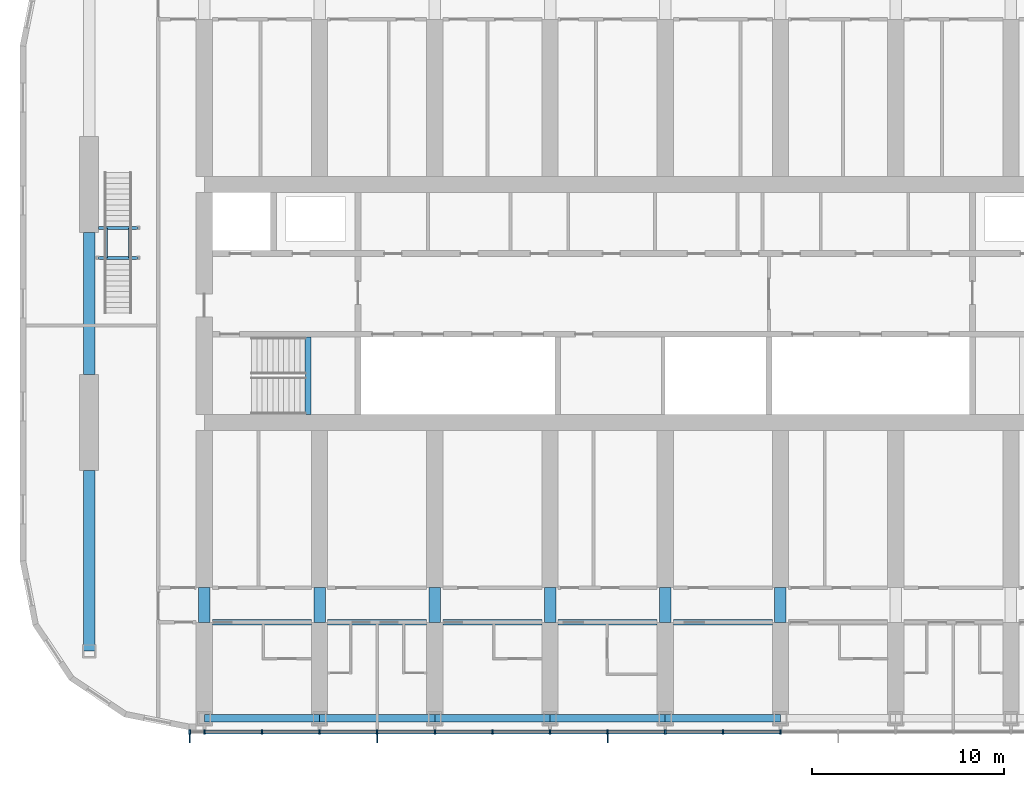
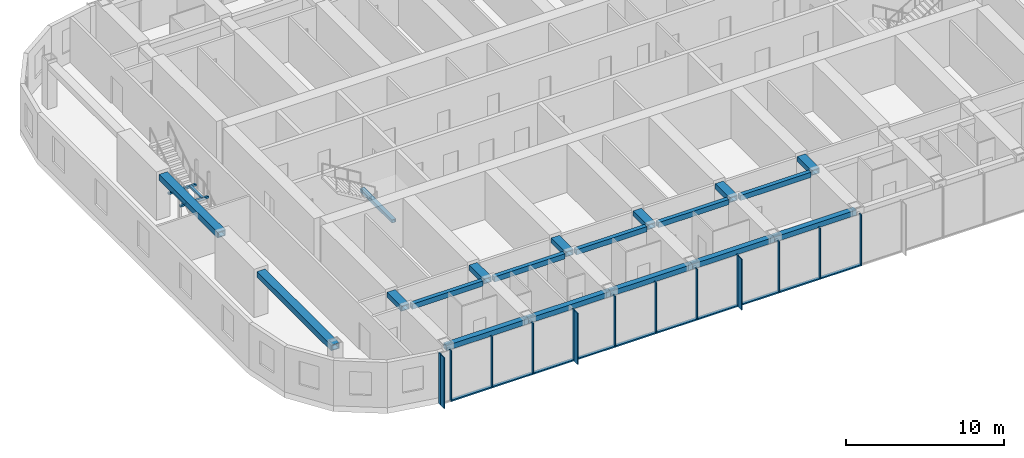
# One storey, part 4 of 28: 25 members, 23 beams, 1 element without a shape of its own.
"""IFC4 building model written with IfcOpenShell, lengths in metres."""

from ifc_helpers import new_model, si_unit, direction, frame, origin, origin_2d, place, context, subcontext, project, spatial, rectangle, hollow_rectangle, extrude, material, material_profile, profile_set, type_object, element, aggregate, save


model = new_model("IFC4")

# Units and contexts
model_context = context("Model", 3, precision=1e-05, world=origin(), true_north=direction((0.0, 1.0)))
body_context = subcontext(model_context, "Body", "Model", "MODEL_VIEW")
ifc_project = project(units=[si_unit("LENGTHUNIT", "METRE"), si_unit("AREAUNIT", "SQUARE_METRE"), si_unit("VOLUMEUNIT", "CUBIC_METRE"), si_unit("PLANEANGLEUNIT", "RADIAN"), si_unit("MASSUNIT", "GRAM", prefix="KILO")], contexts=[model_context])

# Site, building, storey
site_placement = place(None, origin())
site = spatial("IfcSite", under=ifc_project, at=site_placement, CompositionType="ELEMENT")
building_placement = place(site_placement, origin())
building = spatial("IfcBuilding", under=site, at=building_placement, Name="Orbita Commons", CompositionType="ELEMENT")
storey_placement = place(building_placement, frame((0.0, 0.0, 193.60009765625)))
storey = spatial("IfcBuildingStorey", under=building, at=storey_placement, Name="L48", CompositionType="ELEMENT", Elevation=193.60009765625)

# Curtain wall, members
ifc_material_1 = material(Name="Anodised aluminium frame, pale silver", Category="aluminium")
curtain_wall_type = type_object("IfcCurtainWallType", Name="Unitised curtain wall CW-U, full-height vision", PredefinedType="NOTDEFINED", material=ifc_material_1)
curtain_wall_placement = place(storey_placement, origin())
curtain_wall = element("IfcCurtainWall", 1, at=curtain_wall_placement, inside=storey, type_object=curtain_wall_type, Name="Curtain wall south L48", PredefinedType="NOTDEFINED")
ifc_material_2 = material(Name="Anodised aluminium, pale silver", Category="aluminium")
ifc_material_profile_1 = material_profile(ifc_material_2, rectangle(XDim=0.080078125, YDim=0.219970703125, at=origin_2d()), Name="AL 80x220")
ifc_profile_set_1 = profile_set([ifc_material_profile_1], Name="Anodised aluminium, pale silver")
member_type_1 = type_object("IfcMemberType", Name="Curtain wall mullion 80x220", PredefinedType="MULLION", material=ifc_profile_set_1)
member_1_placement = place(storey_placement, frame((17.239990234375, 9.68994140625, -0.4501953125), z_axis=(0.0, 0.0, 1.0), x_axis=(1.0, 0.0, 0.0)))
member_1 = element("IfcMember", 2, at=member_1_placement, type_object=member_type_1, Name="Mullion 1 CW-L48-S", PredefinedType="MULLION", context=body_context, shape_type="SweptSolid", body=[
    extrude(rectangle(XDim=0.080078125, YDim=0.219970703125, at=origin_2d()), origin(), (0.0, 0.0, 1.0), 3.9501953125),
])
member_2_placement = place(storey_placement, frame((18.0, 9.68994140625, -0.4501953125), z_axis=(0.0, 0.0, 1.0), x_axis=(1.0, 0.0, 0.0)))
member_2 = element("IfcMember", 3, at=member_2_placement, type_object=member_type_1, Name="Mullion 2 CW-L48-S", PredefinedType="MULLION", context=body_context, shape_type="SweptSolid", body=[
    extrude(rectangle(XDim=0.080078125, YDim=0.219970703125, at=origin_2d()), origin(), (0.0, 0.0, 1.0), 3.9501953125),
])
member_3_placement = place(storey_placement, frame((21.0, 9.68994140625, -0.4501953125), z_axis=(0.0, 0.0, 1.0), x_axis=(1.0, 0.0, 0.0)))
member_3 = element("IfcMember", 4, at=member_3_placement, type_object=member_type_1, Name="Mullion 3 CW-L48-S", PredefinedType="MULLION", context=body_context, shape_type="SweptSolid", body=[
    extrude(rectangle(XDim=0.080078125, YDim=0.219970703125, at=origin_2d()), origin(), (0.0, 0.0, 1.0), 3.9501953125),
])
member_4_placement = place(storey_placement, frame((24.0, 9.68994140625, -0.4501953125), z_axis=(0.0, 0.0, 1.0), x_axis=(1.0, 0.0, 0.0)))
member_4 = element("IfcMember", 5, at=member_4_placement, type_object=member_type_1, Name="Mullion 4 CW-L48-S", PredefinedType="MULLION", context=body_context, shape_type="SweptSolid", body=[
    extrude(rectangle(XDim=0.080078125, YDim=0.219970703125, at=origin_2d()), origin(), (0.0, 0.0, 1.0), 3.9501953125),
])
member_5_placement = place(storey_placement, frame((27.0, 9.68994140625, -0.4501953125), z_axis=(0.0, 0.0, 1.0), x_axis=(1.0, 0.0, 0.0)))
member_5 = element("IfcMember", 6, at=member_5_placement, type_object=member_type_1, Name="Mullion 5 CW-L48-S", PredefinedType="MULLION", context=body_context, shape_type="SweptSolid", body=[
    extrude(rectangle(XDim=0.080078125, YDim=0.219970703125, at=origin_2d()), origin(), (0.0, 0.0, 1.0), 3.9501953125),
])
member_6_placement = place(storey_placement, frame((30.0, 9.68994140625, -0.4501953125), z_axis=(0.0, 0.0, 1.0), x_axis=(1.0, 0.0, 0.0)))
member_6 = element("IfcMember", 7, at=member_6_placement, type_object=member_type_1, Name="Mullion 6 CW-L48-S", PredefinedType="MULLION", context=body_context, shape_type="SweptSolid", body=[
    extrude(rectangle(XDim=0.080078125, YDim=0.219970703125, at=origin_2d()), origin(), (0.0, 0.0, 1.0), 3.9501953125),
])
member_7_placement = place(storey_placement, frame((33.0, 9.68994140625, -0.4501953125), z_axis=(0.0, 0.0, 1.0), x_axis=(1.0, 0.0, 0.0)))
member_7 = element("IfcMember", 8, at=member_7_placement, type_object=member_type_1, Name="Mullion 7 CW-L48-S", PredefinedType="MULLION", context=body_context, shape_type="SweptSolid", body=[
    extrude(rectangle(XDim=0.080078125, YDim=0.219970703125, at=origin_2d()), origin(), (0.0, 0.0, 1.0), 3.9501953125),
])
member_8_placement = place(storey_placement, frame((36.0, 9.68994140625, -0.4501953125), z_axis=(0.0, 0.0, 1.0), x_axis=(1.0, 0.0, 0.0)))
member_8 = element("IfcMember", 9, at=member_8_placement, type_object=member_type_1, Name="Mullion 8 CW-L48-S", PredefinedType="MULLION", context=body_context, shape_type="SweptSolid", body=[
    extrude(rectangle(XDim=0.080078125, YDim=0.219970703125, at=origin_2d()), origin(), (0.0, 0.0, 1.0), 3.9501953125),
])
member_9_placement = place(storey_placement, frame((39.0, 9.68994140625, -0.4501953125), z_axis=(0.0, 0.0, 1.0), x_axis=(1.0, 0.0, 0.0)))
member_9 = element("IfcMember", 10, at=member_9_placement, type_object=member_type_1, Name="Mullion 9 CW-L48-S", PredefinedType="MULLION", context=body_context, shape_type="SweptSolid", body=[
    extrude(rectangle(XDim=0.080078125, YDim=0.219970703125, at=origin_2d()), origin(), (0.0, 0.0, 1.0), 3.9501953125),
])
member_10_placement = place(storey_placement, frame((42.0, 9.68994140625, -0.4501953125), z_axis=(0.0, 0.0, 1.0), x_axis=(1.0, 0.0, 0.0)))
member_10 = element("IfcMember", 11, at=member_10_placement, type_object=member_type_1, Name="Mullion 10 CW-L48-S", PredefinedType="MULLION", context=body_context, shape_type="SweptSolid", body=[
    extrude(rectangle(XDim=0.080078125, YDim=0.219970703125, at=origin_2d()), origin(), (0.0, 0.0, 1.0), 3.9501953125),
])
member_11_placement = place(storey_placement, frame((45.0, 9.68994140625, -0.4501953125), z_axis=(0.0, 0.0, 1.0), x_axis=(1.0, 0.0, 0.0)))
member_11 = element("IfcMember", 12, at=member_11_placement, type_object=member_type_1, Name="Mullion 11 CW-L48-S", PredefinedType="MULLION", context=body_context, shape_type="SweptSolid", body=[
    extrude(rectangle(XDim=0.080078125, YDim=0.219970703125, at=origin_2d()), origin(), (0.0, 0.0, 1.0), 3.9501953125),
])
member_12_placement = place(storey_placement, frame((48.0, 9.68994140625, -0.4501953125), z_axis=(0.0, 0.0, 1.0), x_axis=(1.0, 0.0, 0.0)))
member_12 = element("IfcMember", 13, at=member_12_placement, type_object=member_type_1, Name="Mullion 12 CW-L48-S", PredefinedType="MULLION", context=body_context, shape_type="SweptSolid", body=[
    extrude(rectangle(XDim=0.080078125, YDim=0.219970703125, at=origin_2d()), origin(), (0.0, 0.0, 1.0), 3.9501953125),
])
ifc_material_3 = material(Name="Anodised aluminium, pale silver", Category="aluminium")
ifc_material_profile_2 = material_profile(ifc_material_3, rectangle(XDim=0.219970703125, YDim=0.10009765625, at=origin_2d()), Name="AL 220x100")
ifc_profile_set_2 = profile_set([ifc_material_profile_2], Name="Anodised aluminium, pale silver")
member_type_2 = type_object("IfcMemberType", Name="Curtain wall stack transom 220x100", PredefinedType="USERDEFINED", material=ifc_profile_set_2)
member_13_placement = place(storey_placement, frame((18.0400390625, 9.68994140625, -0.400146484375), z_axis=(1.0, 0.0, 0.0), x_axis=(0.0, 1.0, 0.0)))
member_13 = element("IfcMember", 14, at=member_13_placement, type_object=member_type_2, Name="Transom 2.1 CW-L48-S", ObjectType="TRANSOM", PredefinedType="USERDEFINED", context=body_context, shape_type="SweptSolid", body=[
    extrude(rectangle(XDim=0.219970703125, YDim=0.10009765625, at=origin_2d()), origin(), (0.0, 0.0, 1.0), 2.919921875),
])
member_14_placement = place(storey_placement, frame((21.0400390625, 9.68994140625, -0.400146484375), z_axis=(1.0, 0.0, 0.0), x_axis=(0.0, 1.0, 0.0)))
member_14 = element("IfcMember", 15, at=member_14_placement, type_object=member_type_2, Name="Transom 3.1 CW-L48-S", ObjectType="TRANSOM", PredefinedType="USERDEFINED", context=body_context, shape_type="SweptSolid", body=[
    extrude(rectangle(XDim=0.219970703125, YDim=0.10009765625, at=origin_2d()), origin(), (0.0, 0.0, 1.0), 2.919921875),
])
member_15_placement = place(storey_placement, frame((24.0400390625, 9.68994140625, -0.400146484375), z_axis=(1.0, 0.0, 0.0), x_axis=(0.0, 1.0, 0.0)))
member_15 = element("IfcMember", 16, at=member_15_placement, type_object=member_type_2, Name="Transom 4.1 CW-L48-S", ObjectType="TRANSOM", PredefinedType="USERDEFINED", context=body_context, shape_type="SweptSolid", body=[
    extrude(rectangle(XDim=0.219970703125, YDim=0.10009765625, at=origin_2d()), origin(), (0.0, 0.0, 1.0), 2.919921875),
])
member_16_placement = place(storey_placement, frame((27.0400390625, 9.68994140625, -0.400146484375), z_axis=(1.0, 0.0, 0.0), x_axis=(0.0, 1.0, 0.0)))
member_16 = element("IfcMember", 17, at=member_16_placement, type_object=member_type_2, Name="Transom 5.1 CW-L48-S", ObjectType="TRANSOM", PredefinedType="USERDEFINED", context=body_context, shape_type="SweptSolid", body=[
    extrude(rectangle(XDim=0.219970703125, YDim=0.10009765625, at=origin_2d()), origin(), (0.0, 0.0, 1.0), 2.919921875),
])
member_17_placement = place(storey_placement, frame((30.0400390625, 9.68994140625, -0.400146484375), z_axis=(1.0, 0.0, 0.0), x_axis=(0.0, 1.0, 0.0)))
member_17 = element("IfcMember", 18, at=member_17_placement, type_object=member_type_2, Name="Transom 6.1 CW-L48-S", ObjectType="TRANSOM", PredefinedType="USERDEFINED", context=body_context, shape_type="SweptSolid", body=[
    extrude(rectangle(XDim=0.219970703125, YDim=0.10009765625, at=origin_2d()), origin(), (0.0, 0.0, 1.0), 2.919921875),
])
member_18_placement = place(storey_placement, frame((33.0400390625, 9.68994140625, -0.400146484375), z_axis=(1.0, 0.0, 0.0), x_axis=(0.0, 1.0, 0.0)))
member_18 = element("IfcMember", 19, at=member_18_placement, type_object=member_type_2, Name="Transom 7.1 CW-L48-S", ObjectType="TRANSOM", PredefinedType="USERDEFINED", context=body_context, shape_type="SweptSolid", body=[
    extrude(rectangle(XDim=0.219970703125, YDim=0.10009765625, at=origin_2d()), origin(), (0.0, 0.0, 1.0), 2.919921875),
])
member_19_placement = place(storey_placement, frame((36.0400390625, 9.68994140625, -0.400146484375), z_axis=(1.0, 0.0, 0.0), x_axis=(0.0, 1.0, 0.0)))
member_19 = element("IfcMember", 20, at=member_19_placement, type_object=member_type_2, Name="Transom 8.1 CW-L48-S", ObjectType="TRANSOM", PredefinedType="USERDEFINED", context=body_context, shape_type="SweptSolid", body=[
    extrude(rectangle(XDim=0.219970703125, YDim=0.10009765625, at=origin_2d()), origin(), (0.0, 0.0, 1.0), 2.919921875),
])
member_20_placement = place(storey_placement, frame((39.0400390625, 9.68994140625, -0.400146484375), z_axis=(1.0, 0.0, 0.0), x_axis=(0.0, 1.0, 0.0)))
member_20 = element("IfcMember", 21, at=member_20_placement, type_object=member_type_2, Name="Transom 9.1 CW-L48-S", ObjectType="TRANSOM", PredefinedType="USERDEFINED", context=body_context, shape_type="SweptSolid", body=[
    extrude(rectangle(XDim=0.219970703125, YDim=0.10009765625, at=origin_2d()), origin(), (0.0, 0.0, 1.0), 2.919921875),
])
member_21_placement = place(storey_placement, frame((42.0400390625, 9.68994140625, -0.400146484375), z_axis=(1.0, 0.0, 0.0), x_axis=(0.0, 1.0, 0.0)))
member_21 = element("IfcMember", 22, at=member_21_placement, type_object=member_type_2, Name="Transom 10.1 CW-L48-S", ObjectType="TRANSOM", PredefinedType="USERDEFINED", context=body_context, shape_type="SweptSolid", body=[
    extrude(rectangle(XDim=0.219970703125, YDim=0.10009765625, at=origin_2d()), origin(), (0.0, 0.0, 1.0), 2.919921875),
])
member_22_placement = place(storey_placement, frame((45.0400390625, 9.68994140625, -0.400146484375), z_axis=(1.0, 0.0, 0.0), x_axis=(0.0, 1.0, 0.0)))
member_22 = element("IfcMember", 23, at=member_22_placement, type_object=member_type_2, Name="Transom 11.1 CW-L48-S", ObjectType="TRANSOM", PredefinedType="USERDEFINED", context=body_context, shape_type="SweptSolid", body=[
    extrude(rectangle(XDim=0.219970703125, YDim=0.10009765625, at=origin_2d()), origin(), (0.0, 0.0, 1.0), 2.919921875),
])

# Beams
ifc_material_4 = material(Name="Steel ASTM A992", Category="steel")
ifc_material_profile_3 = material_profile(ifc_material_4, hollow_rectangle(XDim=0.14990234375, YDim=0.14990234375, WallThickness=0.008056640625, at=origin_2d()), Name="SHS 150x150x8")
ifc_profile_set_3 = profile_set([ifc_material_profile_3], Name="Steel ASTM A992")
beam_type_1 = type_object("IfcBeamType", Name="Landing frame beam SHS 150x150x8", PredefinedType="BEAM", material=ifc_profile_set_3)
beam_1_placement = place(storey_placement, frame((12.449951171875, 34.375, 1.599853515625), z_axis=(1.0, 0.0, 0.0), x_axis=(0.0, 1.0, 0.0)))
element("IfcBeam", 24, at=beam_1_placement, inside=storey, type_object=beam_type_1, Name="Neighbourhood stair L48 to L49 landing frame beam 1", PredefinedType="BEAM", context=body_context, shape_type="SweptSolid", body=[
    extrude(hollow_rectangle(XDim=0.14990234375, YDim=0.14990234375, WallThickness=0.008056640625, at=origin_2d()), origin(), (0.0, 0.0, 1.0), 2.10009765625),
])
beam_2_placement = place(storey_placement, frame((12.5, 35.93505859375, 1.599853515625), z_axis=(1.0, 0.0, 0.0), x_axis=(0.0, 1.0, 0.0)))
element("IfcBeam", 25, at=beam_2_placement, inside=storey, type_object=beam_type_1, Name="Neighbourhood stair L48 to L49 landing frame beam 2", PredefinedType="BEAM", context=body_context, shape_type="SweptSolid", body=[
    extrude(hollow_rectangle(XDim=0.14990234375, YDim=0.14990234375, WallThickness=0.008056640625, at=origin_2d()), origin(), (0.0, 0.0, 1.0), 2.050048828125),
])
for number, where, z_axis, x_axis, name in (
    (26, (12.875, 34.375, 1.599853515625), (0.0, 1.0, 0.0), (-1.0, 0.0, 0.0), "Neighbourhood stair L48 to L49 landing frame beam 3"),
    (27, (14.125, 34.375, 1.599853515625), (0.0, 1.0, 0.0), (-1.0, 0.0, 0.0), "Neighbourhood stair L48 to L49 landing frame beam 4"),
):
    element("IfcBeam", number, at=place(storey_placement, frame(where, z_axis=z_axis, x_axis=x_axis)), inside=storey, type_object=beam_type_1, Name=name, PredefinedType="BEAM", context=body_context, shape_type="SweptSolid", body=[
        extrude(hollow_rectangle(XDim=0.14990234375, YDim=0.14990234375, WallThickness=0.008056640625, at=origin_2d()), origin(), (0.0, 0.0, 1.0), 1.56005859375),
    ])
ifc_material_5 = material(Name="Steel ASTM A572 Gr 50 welded plate", Category="steel")
ifc_material_profile_4 = material_profile(ifc_material_5, hollow_rectangle(XDim=0.300048828125, YDim=0.25, WallThickness=0.02490234375, at=origin_2d()), Name="BOX 250x300x25")
ifc_profile_set_4 = profile_set([ifc_material_profile_4], Name="Steel ASTM A572 Gr 50 welded plate")
beam_type_2 = type_object("IfcBeamType", Name="Stair landing beam steel BOX 250x300x25", PredefinedType="BEAM", material=ifc_profile_set_4)
beam_3_placement = place(storey_placement, frame((23.39990234375, 26.2099609375, 1.5498046875), z_axis=(0.0, 1.0, 0.0), x_axis=(-1.0, 0.0, 0.0)))
element("IfcBeam", 28, at=beam_3_placement, inside=storey, type_object=beam_type_2, Name="Stair S1 landing beam L48 1", PredefinedType="BEAM", context=body_context, shape_type="SweptSolid", body=[
    extrude(hollow_rectangle(XDim=0.300048828125, YDim=0.25, WallThickness=0.02490234375, at=origin_2d()), origin(), (0.0, 0.0, 1.0), 4.054931640625),
])
ifc_material_6 = material(Name="Steel ASTM A572 Gr 50 welded plate", Category="steel")
ifc_material_profile_5 = material_profile(ifc_material_6, hollow_rectangle(XDim=0.300048828125, YDim=0.39990234375, WallThickness=0.0400390625, at=origin_2d()), Name="BOX 400x300x40")
ifc_profile_set_5 = profile_set([ifc_material_profile_5], Name="Steel ASTM A572 Gr 50 welded plate")
beam_type_3 = type_object("IfcBeamType", Name="Steel corridor link BOX 400x300x40", PredefinedType="BEAM", material=ifc_profile_set_5)
for number, where, z_axis, x_axis, name in (
    (29, (18.425048828125, 15.39990234375, 3.2998046875), (1.0, 0.0, 0.0), (0.0, 1.0, 0.0), "Corridor beam SA 4-5 L48"),
    (30, (24.425048828125, 15.39990234375, 3.2998046875), (1.0, 0.0, 0.0), (0.0, 1.0, 0.0), "Corridor beam SA 5-6 L48"),
    (31, (30.425048828125, 15.39990234375, 3.2998046875), (1.0, 0.0, 0.0), (0.0, 1.0, 0.0), "Corridor beam SA 6-7 L48"),
    (32, (36.425048828125, 15.39990234375, 3.2998046875), (1.0, 0.0, 0.0), (0.0, 1.0, 0.0), "Corridor beam SA 7-8 L48"),
    (33, (42.425048828125, 15.39990234375, 3.2998046875), (1.0, 0.0, 0.0), (0.0, 1.0, 0.0), "Corridor beam SA 8-9 L48"),
):
    element("IfcBeam", number, at=place(storey_placement, frame(where, z_axis=z_axis, x_axis=x_axis)), inside=storey, type_object=beam_type_3, Name=name, PredefinedType="BEAM", context=body_context, shape_type="SweptSolid", body=[
        extrude(hollow_rectangle(XDim=0.300048828125, YDim=0.39990234375, WallThickness=0.0400390625, at=origin_2d()), origin(), (0.0, 0.0, 1.0), 5.14990234375),
    ])
ifc_material_7 = material(Name="Steel ASTM A572 Gr 50 welded plate", Category="steel")
ifc_material_profile_6 = material_profile(ifc_material_7, hollow_rectangle(XDim=0.60009765625, YDim=0.39990234375, WallThickness=0.050048828125, at=origin_2d()), Name="BOX 400x600x50")
ifc_profile_set_6 = profile_set([ifc_material_profile_6], Name="Steel ASTM A572 Gr 50 welded plate")
beam_type_4 = type_object("IfcBeamType", Name="Steel coupling link BOX 400x600x50", PredefinedType="LINTEL", material=ifc_profile_set_6)
for number, where, z_axis, x_axis, name in (
    (34, (18.0, 15.39990234375, 3.2998046875), (0.0, 1.0, 0.0), (-1.0, 0.0, 0.0), "Coupling beam 4 south L48"),
    (35, (24.0, 15.39990234375, 3.2998046875), (0.0, 1.0, 0.0), (-1.0, 0.0, 0.0), "Coupling beam 5 south L48"),
    (36, (30.0, 15.39990234375, 3.2998046875), (0.0, 1.0, 0.0), (-1.0, 0.0, 0.0), "Coupling beam 6 south L48"),
    (37, (36.0, 15.39990234375, 3.2998046875), (0.0, 1.0, 0.0), (-1.0, 0.0, 0.0), "Coupling beam 7 south L48"),
    (38, (42.0, 15.39990234375, 3.2998046875), (0.0, 1.0, 0.0), (-1.0, 0.0, 0.0), "Coupling beam 8 south L48"),
    (39, (48.0, 15.39990234375, 3.2998046875), (0.0, 1.0, 0.0), (-1.0, 0.0, 0.0), "Coupling beam 9 south L48"),
):
    element("IfcBeam", number, at=place(storey_placement, frame(where, z_axis=z_axis, x_axis=x_axis)), inside=storey, type_object=beam_type_4, Name=name, PredefinedType="LINTEL", context=body_context, shape_type="SweptSolid", body=[
        extrude(hollow_rectangle(XDim=0.60009765625, YDim=0.39990234375, WallThickness=0.050048828125, at=origin_2d()), origin(), (0.0, 0.0, 1.0), 1.800048828125),
    ])
ifc_material_8 = material(Name="Steel ASTM A572 Gr 50 welded plate", Category="steel")
ifc_material_profile_7 = material_profile(ifc_material_8, hollow_rectangle(XDim=0.60009765625, YDim=0.449951171875, WallThickness=0.06005859375, at=origin_2d()), Name="BOX 450x600x60")
ifc_profile_set_7 = profile_set([ifc_material_profile_7], Name="Steel ASTM A572 Gr 50 welded plate")
beam_type_5 = type_object("IfcBeamType", Name="Steel end frame link BOX 450x600x60", PredefinedType="BEAM", material=ifc_profile_set_7)
beam_4_placement = place(storey_placement, frame((12.0, 13.89990234375, 3.27490234375), z_axis=(0.0, 1.0, 0.0), x_axis=(-1.0, 0.0, 0.0)))
element("IfcBeam", 40, at=beam_4_placement, inside=storey, type_object=beam_type_5, Name="End frame beam 3 B-C L48", PredefinedType="BEAM", context=body_context, shape_type="SweptSolid", body=[
    extrude(hollow_rectangle(XDim=0.60009765625, YDim=0.449951171875, WallThickness=0.06005859375, at=origin_2d()), origin(), (0.0, 0.0, 1.0), 9.400146484375),
])
beam_5_placement = place(storey_placement, frame((12.0, 28.300048828125, 3.27490234375), z_axis=(0.0, 1.0, 0.0), x_axis=(-1.0, 0.0, 0.0)))
element("IfcBeam", 41, at=beam_5_placement, inside=storey, type_object=beam_type_5, Name="End frame beam 3 C-D L48", PredefinedType="BEAM", context=body_context, shape_type="SweptSolid", body=[
    extrude(hollow_rectangle(XDim=0.60009765625, YDim=0.449951171875, WallThickness=0.06005859375, at=origin_2d()), origin(), (0.0, 0.0, 1.0), 7.39990234375),
])
ifc_material_9 = material(Name="Steel ASTM A572 Gr 50 welded plate", Category="steel")
ifc_material_profile_8 = material_profile(ifc_material_9, hollow_rectangle(XDim=0.39990234375, YDim=0.39990234375, WallThickness=0.0400390625, at=origin_2d()), Name="BOX 400x400x40")
ifc_profile_set_8 = profile_set([ifc_material_profile_8], Name="Steel ASTM A572 Gr 50 welded plate")
beam_type_6 = type_object("IfcBeamType", Name="Steel spandrel BOX 400x400x40", PredefinedType="SPANDREL", material=ifc_profile_set_8)
for number, where, z_axis, x_axis, name in (
    (42, (18.0, 10.39990234375, 3.2998046875), (1.0, 0.0, 0.0), (0.0, 1.0, 0.0), "Spandrel beam B 4-5 L48"),
    (43, (24.0, 10.39990234375, 3.2998046875), (1.0, 0.0, 0.0), (0.0, 1.0, 0.0), "Spandrel beam B 5-6 L48"),
    (44, (30.0, 10.39990234375, 3.2998046875), (1.0, 0.0, 0.0), (0.0, 1.0, 0.0), "Spandrel beam B 6-7 L48"),
    (45, (36.0, 10.39990234375, 3.2998046875), (1.0, 0.0, 0.0), (0.0, 1.0, 0.0), "Spandrel beam B 7-8 L48"),
    (46, (42.0, 10.39990234375, 3.2998046875), (1.0, 0.0, 0.0), (0.0, 1.0, 0.0), "Spandrel beam B 8-9 L48"),
):
    element("IfcBeam", number, at=place(storey_placement, frame(where, z_axis=z_axis, x_axis=x_axis)), inside=storey, type_object=beam_type_6, Name=name, PredefinedType="SPANDREL", context=body_context, shape_type="SweptSolid", body=[
        extrude(hollow_rectangle(XDim=0.39990234375, YDim=0.39990234375, WallThickness=0.0400390625, at=origin_2d()), origin(), (0.0, 0.0, 1.0), 6.0),
    ])

# Member
ifc_material_10 = material(Name="Anodised aluminium, pale silver", Category="aluminium")
ifc_material_profile_9 = material_profile(ifc_material_10, rectangle(XDim=0.06005859375, YDim=0.449951171875, at=origin_2d()), Name="FIN 60x450")
ifc_profile_set_9 = profile_set([ifc_material_profile_9], Name="Anodised aluminium, pale silver")
member_type_3 = type_object("IfcMemberType", Name="Vertical fin 60x450 pale aluminium", PredefinedType="USERDEFINED", material=ifc_profile_set_9)
member_23_placement = place(storey_placement, frame((17.239990234375, 9.35498046875, -0.4501953125), z_axis=(0.0, 0.0, 1.0), x_axis=(1.0, 0.0, 0.0)))
member_23 = element("IfcMember", 47, at=member_23_placement, type_object=member_type_3, Name="Fin 1 CW-L48-S", ObjectType="FIN", PredefinedType="USERDEFINED", context=body_context, shape_type="SweptSolid", body=[
    extrude(rectangle(XDim=0.06005859375, YDim=0.449951171875, at=origin_2d()), origin(), (0.0, 0.0, 1.0), 3.9501953125),
])

member_24_placement = place(storey_placement, frame((27.0, 9.35498046875, -0.4501953125), z_axis=(0.0, 0.0, 1.0), x_axis=(1.0, 0.0, 0.0)))
member_24 = element("IfcMember", 48, at=member_24_placement, type_object=member_type_3, Name="Fin 5 CW-L48-S", ObjectType="FIN", PredefinedType="USERDEFINED", context=body_context, shape_type="SweptSolid", body=[
    extrude(rectangle(XDim=0.06005859375, YDim=0.449951171875, at=origin_2d()), origin(), (0.0, 0.0, 1.0), 3.9501953125),
])

member_25_placement = place(storey_placement, frame((39.0, 9.35498046875, -0.4501953125), z_axis=(0.0, 0.0, 1.0), x_axis=(1.0, 0.0, 0.0)))
member_25 = element("IfcMember", 49, at=member_25_placement, type_object=member_type_3, Name="Fin 9 CW-L48-S", ObjectType="FIN", PredefinedType="USERDEFINED", context=body_context, shape_type="SweptSolid", body=[
    extrude(rectangle(XDim=0.06005859375, YDim=0.449951171875, at=origin_2d()), origin(), (0.0, 0.0, 1.0), 3.9501953125),
])

aggregate(curtain_wall, [member_1, member_23, member_2, member_3, member_4, member_5, member_24, member_6, member_7, member_8, member_9, member_25, member_10, member_11, member_12, member_13, member_14, member_15, member_16, member_17, member_18, member_19, member_20, member_21, member_22])

save(model, "model.ifc")
